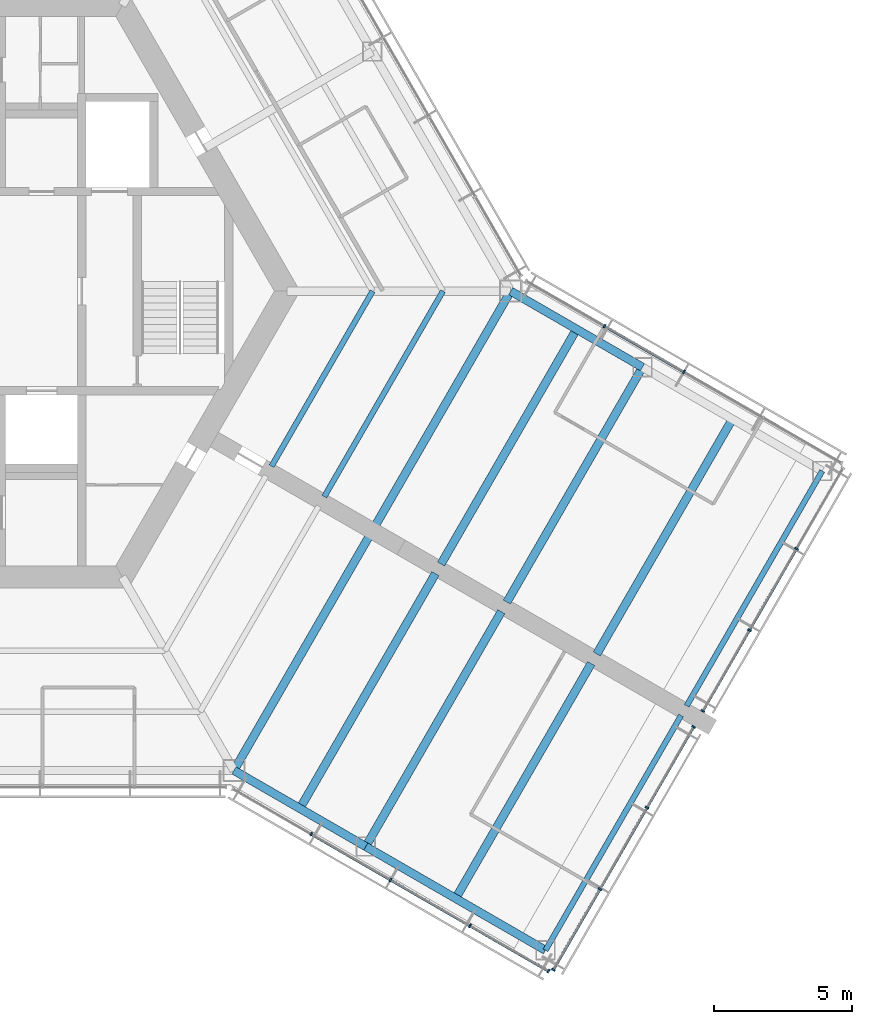
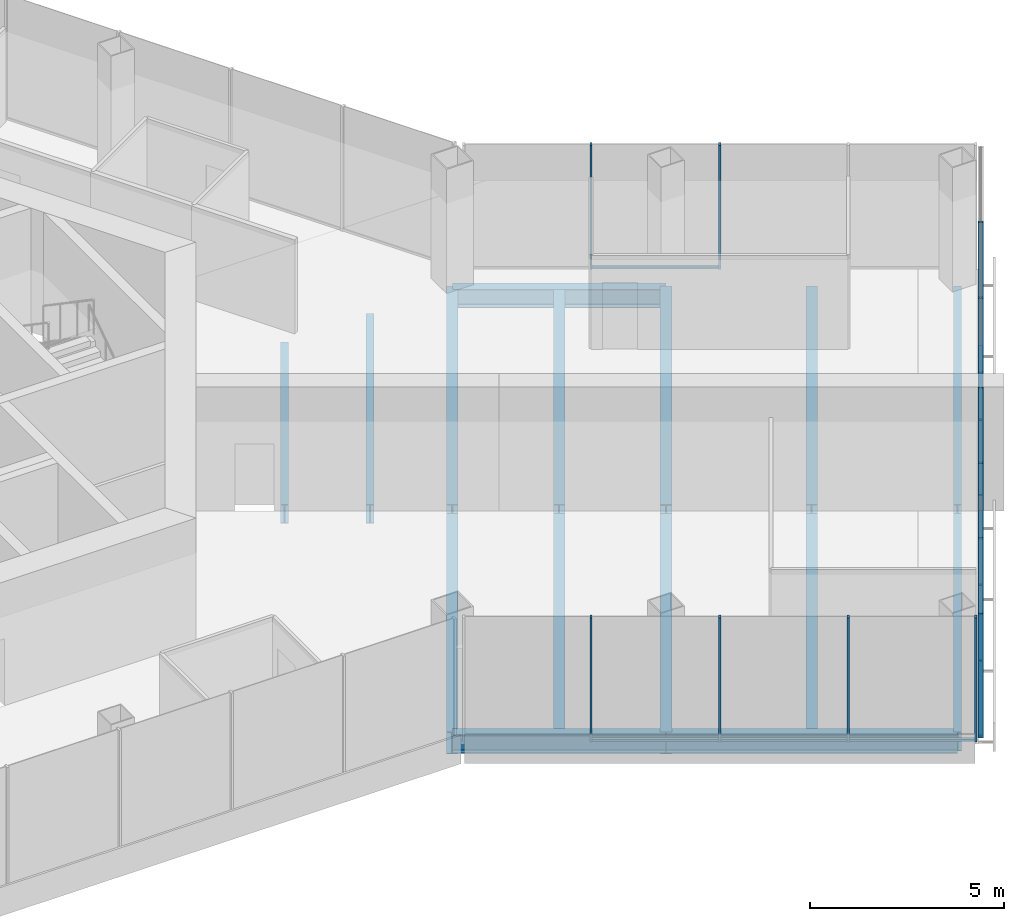
# One storey, part 4 of 15: 22 members, 15 beams, 4 elements without a shape of their own.
"""IFC4 building model written with IfcOpenShell, lengths in metres."""

from ifc_helpers import new_model, si_unit, direction, frame, origin, origin_2d, place, context, subcontext, project, spatial, rectangle, i_section, extrude, material, material_profile, profile_set, type_object, element, aggregate, save


model = new_model("IFC4")

# Units and contexts
model_context = context("Model", 3, precision=1e-05, world=origin(), true_north=direction((0.0, 1.0)))
body_context = subcontext(model_context, "Body", "Model", "MODEL_VIEW")
ifc_project = project(units=[si_unit("LENGTHUNIT", "METRE"), si_unit("AREAUNIT", "SQUARE_METRE"), si_unit("VOLUMEUNIT", "CUBIC_METRE"), si_unit("PLANEANGLEUNIT", "RADIAN"), si_unit("MASSUNIT", "GRAM", prefix="KILO")], contexts=[model_context])

# Site, building, storey
site_placement = place(None, origin())
site = spatial("IfcSite", under=ifc_project, at=site_placement, CompositionType="ELEMENT")
building_placement = place(site_placement, origin())
building = spatial("IfcBuilding", under=site, at=building_placement, Name="Kasaneha Research Tower", CompositionType="ELEMENT")
storey_placement = place(building_placement, frame((0.0, 0.0, 240.10009765625)))
storey = spatial("IfcBuildingStorey", under=building, at=storey_placement, Name="L60", CompositionType="ELEMENT", Elevation=240.10009765625)

# Beams
ifc_material_1 = material(Name="Steel SN490B", Category="steel")
ifc_material_profile_1 = material_profile(ifc_material_1, i_section(OverallWidth=0.199951171875, OverallDepth=0.60009765625, WebThickness=0.010986328125, FlangeThickness=0.01708984375, FilletRadius=0.012939453125, at=origin_2d()), Name="H-600x200x11x17")
ifc_profile_set_1 = profile_set([ifc_material_profile_1], Name="Steel SN490B")
beam_type_1 = type_object("IfcBeamType", Name="B1-3 secondary beam H-600x200x11x17", PredefinedType="JOIST", material=ifc_profile_set_1)
beam_1_placement = place(storey_placement, frame((15.010986328125, 0.0, -0.4501953125), z_axis=(-0.499974128195, -0.866040340363, 0.0), x_axis=(0.866040340363, -0.499974128195, 0.0)))
element("IfcBeam", 1, at=beam_1_placement, inside=storey, type_object=beam_type_1, Name="Secondary beam RS330R1 L60", PredefinedType="JOIST", context=body_context, shape_type="SweptSolid", body=[
    extrude(i_section(OverallWidth=0.199951171875, OverallDepth=0.60009765625, WebThickness=0.010986328125, FlangeThickness=0.01708984375, FilletRadius=0.012939453125, at=origin_2d()), origin(), (0.0, 0.0, 1.0), 7.3056640625),
])
beam_2_placement = place(storey_placement, frame((17.551513671875, 0.0, -0.4501953125), z_axis=(-0.500000102728, -0.866025344474, 0.0), x_axis=(0.866025344474, -0.500000102728, 0.0)))
element("IfcBeam", 2, at=beam_2_placement, inside=storey, type_object=beam_type_1, Name="Secondary beam RS330R2 L60", PredefinedType="JOIST", context=body_context, shape_type="SweptSolid", body=[
    extrude(i_section(OverallWidth=0.199951171875, OverallDepth=0.60009765625, WebThickness=0.010986328125, FlangeThickness=0.01708984375, FilletRadius=0.012939453125, at=origin_2d()), origin(), (0.0, 0.0, 1.0), 8.57568359375),
])
ifc_material_2 = material(Name="Steel SN490B", Category="steel")
ifc_material_profile_2 = material_profile(ifc_material_2, i_section(OverallWidth=0.300048828125, OverallDepth=0.58203125, WebThickness=0.011962890625, FlangeThickness=0.01708984375, FilletRadius=0.012939453125, at=origin_2d()), Name="H-582x300x12x17")
ifc_profile_set_2 = profile_set([ifc_material_profile_2], Name="Steel SN490B")
beam_type_2 = type_object("IfcBeamType", Name="B2-3 secondary beam H-582x300x12x17", PredefinedType="JOIST", material=ifc_profile_set_2)
for number, where, z_axis, x_axis, name in (
    (3, (12.381591796875, -18.695556640625, -0.441162109375), (0.49999201416, 0.866030014362, 0.0), (-0.866030014362, 0.49999201416, 0.0), "Secondary beam WBCP1 L60"),
    (4, (18.0107421875, -21.945556640625, -0.441162109375), (0.49999201416, 0.866030014362, 0.0), (-0.866030014362, 0.49999201416, 0.0), "Secondary beam WBCP2 L60"),
    (5, (22.381591796875, -1.375, -0.441162109375), (-0.49999201416, -0.866030014362, 0.0), (0.866030014362, -0.49999201416, 0.0), "Secondary beam WBCN1 L60"),
    (6, (28.0107421875, -4.625, -0.441162109375), (-0.49999201416, -0.866030014362, 0.0), (0.866030014362, -0.49999201416, 0.0), "Secondary beam WBCN2 L60"),
):
    element("IfcBeam", number, at=place(storey_placement, frame(where, z_axis=z_axis, x_axis=x_axis)), inside=storey, type_object=beam_type_2, Name=name, PredefinedType="JOIST", context=body_context, shape_type="SweptSolid", body=[
        extrude(i_section(OverallWidth=0.300048828125, OverallDepth=0.58203125, WebThickness=0.011962890625, FlangeThickness=0.01708984375, FilletRadius=0.012939453125, at=origin_2d()), origin(), (0.0, 0.0, 1.0), 9.800048828125),
    ])

# Curtain wall, members
ifc_material_3 = material(Name="Glass and aluminium", Category="aluminium")
curtain_wall_type = type_object("IfcCurtainWallType", Name="High-rise office curtain wall", PredefinedType="USERDEFINED", material=ifc_material_3)
curtain_wall_1_placement = place(storey_placement, origin())
curtain_wall_1 = element("IfcCurtainWall", 7, at=curtain_wall_1_placement, inside=storey, type_object=curtain_wall_type, Name="CW-O3 L60 run 06a", ObjectType="UNITISED CURTAIN WALL", PredefinedType="USERDEFINED")
ifc_material_4 = material(Name="Aluminium 6063-T6", Category="aluminium")
ifc_material_profile_3 = material_profile(ifc_material_4, rectangle(XDim=0.06005859375, YDim=0.139892578125, at=origin_2d()), Name="CW-O3 mullion 60x140")
ifc_profile_set_3 = profile_set([ifc_material_profile_3], Name="Aluminium 6063-T6")
member_type_1 = type_object("IfcMemberType", Name="CW-O3 mullion", PredefinedType="MULLION", material=ifc_profile_set_3)
member_1_placement = place(storey_placement, frame((12.792236328125, -19.62548828125, 0.0), z_axis=(0.0, 0.0, 1.0), x_axis=(0.866025411464, -0.499999986699, 0.0)))
member_1 = element("IfcMember", 8, at=member_1_placement, type_object=member_type_1, Name="CW-O3 mullion 2", PredefinedType="MULLION", context=body_context, shape_type="SweptSolid", body=[
    extrude(rectangle(XDim=0.06005859375, YDim=0.139892578125, at=origin_2d()), origin(), (0.0, 0.0, 1.0), 3.89990234375),
])
member_2_placement = place(storey_placement, frame((15.65869140625, -21.2802734375, 0.0), z_axis=(0.0, 0.0, 1.0), x_axis=(0.866025411464, -0.499999986699, 0.0)))
member_2 = element("IfcMember", 9, at=member_2_placement, type_object=member_type_1, Name="CW-O3 mullion 3", PredefinedType="MULLION", context=body_context, shape_type="SweptSolid", body=[
    extrude(rectangle(XDim=0.06005859375, YDim=0.139892578125, at=origin_2d()), origin(), (0.0, 0.0, 1.0), 3.89990234375),
])
member_3_placement = place(storey_placement, frame((18.52490234375, -22.935302734375, 0.0), z_axis=(0.0, 0.0, 1.0), x_axis=(0.866025411464, -0.499999986699, 0.0)))
member_3 = element("IfcMember", 10, at=member_3_placement, type_object=member_type_1, Name="CW-O3 mullion 4", PredefinedType="MULLION", context=body_context, shape_type="SweptSolid", body=[
    extrude(rectangle(XDim=0.06005859375, YDim=0.139892578125, at=origin_2d()), origin(), (0.0, 0.0, 1.0), 3.89990234375),
])
member_4_placement = place(storey_placement, frame((21.365478515625, -24.5751953125, 0.0), z_axis=(0.0, 0.0, 1.0), x_axis=(0.866025411464, -0.499999986699, 0.0)))
member_4 = element("IfcMember", 11, at=member_4_placement, type_object=member_type_1, Name="CW-O3 mullion 5", PredefinedType="MULLION", context=body_context, shape_type="SweptSolid", body=[
    extrude(rectangle(XDim=0.06005859375, YDim=0.139892578125, at=origin_2d()), origin(), (0.0, 0.0, 1.0), 3.89990234375),
])

curtain_wall_2_placement = place(storey_placement, origin())
curtain_wall_2 = element("IfcCurtainWall", 12, at=curtain_wall_2_placement, inside=storey, type_object=curtain_wall_type, Name="CW-O3 L60 run 07a", ObjectType="UNITISED CURTAIN WALL", PredefinedType="USERDEFINED")
member_5_placement = place(storey_placement, frame((21.54296875, -24.527587890625, 0.0), z_axis=(0.0, 0.0, 1.0), x_axis=(0.500000011442, 0.866025397178, 0.0)))
member_5 = element("IfcMember", 13, at=member_5_placement, type_object=member_type_1, Name="CW-O3 mullion 1", PredefinedType="MULLION", context=body_context, shape_type="SweptSolid", body=[
    extrude(rectangle(XDim=0.06005859375, YDim=0.139892578125, at=origin_2d()), origin(), (0.0, 0.0, 1.0), 3.89990234375),
])
member_6_placement = place(storey_placement, frame((23.22802734375, -21.609130859375, 0.0), z_axis=(0.0, 0.0, 1.0), x_axis=(0.500000011442, 0.866025397178, 0.0)))
member_6 = element("IfcMember", 14, at=member_6_placement, type_object=member_type_1, Name="CW-O3 mullion 2", PredefinedType="MULLION", context=body_context, shape_type="SweptSolid", body=[
    extrude(rectangle(XDim=0.06005859375, YDim=0.139892578125, at=origin_2d()), origin(), (0.0, 0.0, 1.0), 3.89990234375),
])
member_7_placement = place(storey_placement, frame((24.927978515625, -18.66455078125, 0.0), z_axis=(0.0, 0.0, 1.0), x_axis=(0.500000011442, 0.866025397178, 0.0)))
member_7 = element("IfcMember", 15, at=member_7_placement, type_object=member_type_1, Name="CW-O3 mullion 3", PredefinedType="MULLION", context=body_context, shape_type="SweptSolid", body=[
    extrude(rectangle(XDim=0.06005859375, YDim=0.139892578125, at=origin_2d()), origin(), (0.0, 0.0, 1.0), 3.89990234375),
])
member_8_placement = place(storey_placement, frame((26.613037109375, -15.74609375, 0.0), z_axis=(0.0, 0.0, 1.0), x_axis=(0.500000011442, 0.866025397178, 0.0)))
member_8 = element("IfcMember", 16, at=member_8_placement, type_object=member_type_1, Name="CW-O3 mullion 4", PredefinedType="MULLION", context=body_context, shape_type="SweptSolid", body=[
    extrude(rectangle(XDim=0.06005859375, YDim=0.139892578125, at=origin_2d()), origin(), (0.0, 0.0, 1.0), 3.89990234375),
])

curtain_wall_3_placement = place(storey_placement, origin())
curtain_wall_3 = element("IfcCurtainWall", 17, at=curtain_wall_3_placement, inside=storey, type_object=curtain_wall_type, Name="CW-O3 L60 run 08a", ObjectType="UNITISED CURTAIN WALL", PredefinedType="USERDEFINED")
member_9_placement = place(storey_placement, frame((26.94287109375, -15.174560546875, 0.0), z_axis=(0.0, 0.0, 1.0), x_axis=(0.500000011442, 0.866025397178, 0.0)))
member_9 = element("IfcMember", 18, at=member_9_placement, type_object=member_type_1, Name="CW-O3 mullion 1", PredefinedType="MULLION", context=body_context, shape_type="SweptSolid", body=[
    extrude(rectangle(XDim=0.06005859375, YDim=0.139892578125, at=origin_2d()), origin(), (0.0, 0.0, 1.0), 3.89990234375),
])
member_10_placement = place(storey_placement, frame((28.6279296875, -12.255859375, 0.0), z_axis=(0.0, 0.0, 1.0), x_axis=(0.500000011442, 0.866025397178, 0.0)))
member_10 = element("IfcMember", 19, at=member_10_placement, type_object=member_type_1, Name="CW-O3 mullion 2", PredefinedType="MULLION", context=body_context, shape_type="SweptSolid", body=[
    extrude(rectangle(XDim=0.06005859375, YDim=0.139892578125, at=origin_2d()), origin(), (0.0, 0.0, 1.0), 3.89990234375),
])
member_11_placement = place(storey_placement, frame((30.327880859375, -9.3115234375, 0.0), z_axis=(0.0, 0.0, 1.0), x_axis=(0.500000011442, 0.866025397178, 0.0)))
member_11 = element("IfcMember", 20, at=member_11_placement, type_object=member_type_1, Name="CW-O3 mullion 3", PredefinedType="MULLION", context=body_context, shape_type="SweptSolid", body=[
    extrude(rectangle(XDim=0.06005859375, YDim=0.139892578125, at=origin_2d()), origin(), (0.0, 0.0, 1.0), 3.89990234375),
])

curtain_wall_4_placement = place(storey_placement, origin())
curtain_wall_4 = element("IfcCurtainWall", 21, at=curtain_wall_4_placement, inside=storey, type_object=curtain_wall_type, Name="CW-O3 L60 run 09a", ObjectType="UNITISED CURTAIN WALL", PredefinedType="USERDEFINED")
member_12_placement = place(storey_placement, frame((26.258544921875, -2.920654296875, 0.0), z_axis=(0.0, 0.0, 1.0), x_axis=(-0.866025411464, 0.499999986699, 0.0)))
member_12 = element("IfcMember", 22, at=member_12_placement, type_object=member_type_1, Name="CW-O3 mullion 3", PredefinedType="MULLION", context=body_context, shape_type="SweptSolid", body=[
    extrude(rectangle(XDim=0.06005859375, YDim=0.139892578125, at=origin_2d()), origin(), (0.0, 0.0, 1.0), 3.89990234375),
])
member_13_placement = place(storey_placement, frame((23.39208984375, -1.265625, 0.0), z_axis=(0.0, 0.0, 1.0), x_axis=(-0.866025411464, 0.499999986699, 0.0)))
member_13 = element("IfcMember", 23, at=member_13_placement, type_object=member_type_1, Name="CW-O3 mullion 4", PredefinedType="MULLION", context=body_context, shape_type="SweptSolid", body=[
    extrude(rectangle(XDim=0.06005859375, YDim=0.139892578125, at=origin_2d()), origin(), (0.0, 0.0, 1.0), 3.89990234375),
])

# Member
ifc_material_5 = material(Name="Aluminium 6063-T6", Category="aluminium")
ifc_material_profile_4 = material_profile(ifc_material_5, rectangle(XDim=0.10009765625, YDim=0.06005859375, at=origin_2d()), Name="CW-O3 transom 100x60")
ifc_profile_set_4 = profile_set([ifc_material_profile_4], Name="Aluminium 6063-T6")
member_type_2 = type_object("IfcMemberType", Name="CW-O3 transom", PredefinedType="USERDEFINED", material=ifc_profile_set_4)
member_14_placement = place(storey_placement, frame((12.818115234375, -19.640380859375, 0.02978515625), z_axis=(0.866015446554, -0.500017246033, 0.0), x_axis=(0.500017246033, 0.866015446554, 0.0)))
member_14 = element("IfcMember", 24, at=member_14_placement, type_object=member_type_2, Name="CW-O3 transom 2", ObjectType="TRANSOM", PredefinedType="USERDEFINED", context=body_context, shape_type="SweptSolid", body=[
    extrude(rectangle(XDim=0.10009765625, YDim=0.06005859375, at=origin_2d()), origin(), (0.0, 0.0, 1.0), 3.25),
])

member_15_placement = place(storey_placement, frame((15.6845703125, -21.29541015625, 0.02978515625), z_axis=(0.86604797581, -0.499960902066, 0.0), x_axis=(0.499960902066, 0.86604797581, 0.0)))
member_15 = element("IfcMember", 25, at=member_15_placement, type_object=member_type_2, Name="CW-O3 transom 3", ObjectType="TRANSOM", PredefinedType="USERDEFINED", context=body_context, shape_type="SweptSolid", body=[
    extrude(rectangle(XDim=0.10009765625, YDim=0.06005859375, at=origin_2d()), origin(), (0.0, 0.0, 1.0), 3.249755859375),
])

member_16_placement = place(storey_placement, frame((18.551025390625, -22.9501953125, 0.02978515625), z_axis=(0.866022692473, -0.500004696101, 0.0), x_axis=(0.500004696101, 0.866022692473, 0.0)))
member_16 = element("IfcMember", 26, at=member_16_placement, type_object=member_type_2, Name="CW-O3 transom 4", ObjectType="TRANSOM", PredefinedType="USERDEFINED", context=body_context, shape_type="SweptSolid", body=[
    extrude(rectangle(XDim=0.10009765625, YDim=0.06005859375, at=origin_2d()), origin(), (0.0, 0.0, 1.0), 3.2197265625),
])

aggregate(curtain_wall_1, [member_1, member_2, member_3, member_4, member_14, member_15, member_16])

member_17_placement = place(storey_placement, frame((21.557861328125, -24.50146484375, 0.02978515625), z_axis=(0.500018282537, 0.866014848099, 0.0), x_axis=(-0.866014848099, 0.500018282537, 0.0)))
member_17 = element("IfcMember", 27, at=member_17_placement, type_object=member_type_2, Name="CW-O3 transom 1", ObjectType="TRANSOM", PredefinedType="USERDEFINED", context=body_context, shape_type="SweptSolid", body=[
    extrude(rectangle(XDim=0.10009765625, YDim=0.06005859375, at=origin_2d()), origin(), (0.0, 0.0, 1.0), 3.31005859375),
])

member_18_placement = place(storey_placement, frame((23.242919921875, -21.5830078125, 0.02978515625), z_axis=(0.499975549825, 0.866039519639, 0.0), x_axis=(-0.866039519639, 0.499975549825, 0.0)))
member_18 = element("IfcMember", 28, at=member_18_placement, type_object=member_type_2, Name="CW-O3 transom 2", ObjectType="TRANSOM", PredefinedType="USERDEFINED", context=body_context, shape_type="SweptSolid", body=[
    extrude(rectangle(XDim=0.10009765625, YDim=0.06005859375, at=origin_2d()), origin(), (0.0, 0.0, 1.0), 3.340087890625),
])

member_19_placement = place(storey_placement, frame((24.94287109375, -18.638671875, 0.02978515625), z_axis=(0.49998634449, 0.866033287653, 0.0), x_axis=(-0.866033287653, 0.49998634449, 0.0)))
member_19 = element("IfcMember", 29, at=member_19_placement, type_object=member_type_2, Name="CW-O3 transom 3", ObjectType="TRANSOM", PredefinedType="USERDEFINED", context=body_context, shape_type="SweptSolid", body=[
    extrude(rectangle(XDim=0.10009765625, YDim=0.06005859375, at=origin_2d()), origin(), (0.0, 0.0, 1.0), 3.31005859375),
])

aggregate(curtain_wall_2, [member_5, member_6, member_7, member_8, member_17, member_18, member_19])

member_20_placement = place(storey_placement, frame((26.9580078125, -15.1484375, 0.02978515625), z_axis=(0.500018282537, 0.866014848099, 0.0), x_axis=(-0.866014848099, 0.500018282537, 0.0)))
member_20 = element("IfcMember", 30, at=member_20_placement, type_object=member_type_2, Name="CW-O3 transom 1", ObjectType="TRANSOM", PredefinedType="USERDEFINED", context=body_context, shape_type="SweptSolid", body=[
    extrude(rectangle(XDim=0.10009765625, YDim=0.06005859375, at=origin_2d()), origin(), (0.0, 0.0, 1.0), 3.31005859375),
])

member_21_placement = place(storey_placement, frame((28.64306640625, -12.22998046875, 0.02978515625), z_axis=(0.499975549825, 0.866039519639, 0.0), x_axis=(-0.866039519639, 0.499975549825, 0.0)))
member_21 = element("IfcMember", 31, at=member_21_placement, type_object=member_type_2, Name="CW-O3 transom 2", ObjectType="TRANSOM", PredefinedType="USERDEFINED", context=body_context, shape_type="SweptSolid", body=[
    extrude(rectangle(XDim=0.10009765625, YDim=0.06005859375, at=origin_2d()), origin(), (0.0, 0.0, 1.0), 3.340087890625),
])

aggregate(curtain_wall_3, [member_9, member_10, member_11, member_20, member_21])

member_22_placement = place(storey_placement, frame((26.232666015625, -2.905517578125, 0.02978515625), z_axis=(-0.86604797581, 0.499960902066, 0.0), x_axis=(-0.499960902066, -0.86604797581, 0.0)))
member_22 = element("IfcMember", 32, at=member_22_placement, type_object=member_type_2, Name="CW-O3 transom 3", ObjectType="TRANSOM", PredefinedType="USERDEFINED", context=body_context, shape_type="SweptSolid", body=[
    extrude(rectangle(XDim=0.10009765625, YDim=0.06005859375, at=origin_2d()), origin(), (0.0, 0.0, 1.0), 3.249755859375),
])

aggregate(curtain_wall_4, [member_12, member_13, member_22])

# Beams
ifc_material_6 = material(Name="Steel SN490B", Category="steel")
ifc_material_profile_5 = material_profile(ifc_material_6, i_section(OverallWidth=0.300048828125, OverallDepth=0.69189453125, WebThickness=0.012939453125, FlangeThickness=0.02001953125, FilletRadius=0.01806640625, at=origin_2d()), Name="H-692x300x13x20")
ifc_profile_set_5 = profile_set([ifc_material_profile_5], Name="Steel SN490B")
beam_type_3 = type_object("IfcBeamType", Name="G3-3 plate edge girder H-692x300x13x20", PredefinedType="BEAM", material=ifc_profile_set_5)
for number, where, z_axis, x_axis, name in (
    (33, (10.0, -17.320556640625, -0.49609375), (0.49999201416, 0.866030014362, 0.0), (-0.866030014362, 0.49999201416, 0.0), "Plate edge girder PECP L60"),
    (34, (20.0, 0.0, -0.49609375), (-0.49999201416, -0.866030014362, 0.0), (0.866030014362, -0.49999201416, 0.0), "Plate edge girder PECN L60"),
):
    element("IfcBeam", number, at=place(storey_placement, frame(where, z_axis=z_axis, x_axis=x_axis)), inside=storey, type_object=beam_type_3, Name=name, PredefinedType="BEAM", context=body_context, shape_type="SweptSolid", body=[
        extrude(i_section(OverallWidth=0.300048828125, OverallDepth=0.69189453125, WebThickness=0.012939453125, FlangeThickness=0.02001953125, FilletRadius=0.01806640625, at=origin_2d()), origin(), (0.0, 0.0, 1.0), 9.800048828125),
    ])
ifc_material_7 = material(Name="Steel SN490B", Category="steel")
ifc_material_profile_6 = material_profile(ifc_material_7, i_section(OverallWidth=0.300048828125, OverallDepth=0.699951171875, WebThickness=0.012939453125, FlangeThickness=0.02392578125, FilletRadius=0.01806640625, at=origin_2d()), Name="H-700x300x13x24")
ifc_profile_set_6 = profile_set([ifc_material_profile_6], Name="Steel SN490B")
beam_type_4 = type_object("IfcBeamType", Name="G4-3 wing girder H-700x300x13x24", PredefinedType="BEAM", material=ifc_profile_set_6)
for number, where, z_axis, x_axis, name in (
    (35, (14.76318359375, -20.070556640625, -0.5), (0.49999201416, 0.866030014362, 0.0), (-0.866030014362, 0.49999201416, 0.0), "Wing girder WGCP L60"),
    (36, (24.76318359375, -2.75, -0.5), (-0.500010698315, -0.866019227021, 0.0), (0.866019227021, -0.500010698315, 0.0), "Wing girder WGCN L60"),
):
    element("IfcBeam", number, at=place(storey_placement, frame(where, z_axis=z_axis, x_axis=x_axis)), inside=storey, type_object=beam_type_4, Name=name, PredefinedType="BEAM", context=body_context, shape_type="SweptSolid", body=[
        extrude(i_section(OverallWidth=0.300048828125, OverallDepth=0.699951171875, WebThickness=0.012939453125, FlangeThickness=0.02392578125, FilletRadius=0.01806640625, at=origin_2d()), origin(), (0.0, 0.0, 1.0), 9.800048828125),
    ])
ifc_material_8 = material(Name="Steel SN490B", Category="steel")
ifc_material_profile_7 = material_profile(ifc_material_8, i_section(OverallWidth=0.300048828125, OverallDepth=0.58203125, WebThickness=0.011962890625, FlangeThickness=0.01708984375, FilletRadius=0.012939453125, at=origin_2d()), Name="H-582x300x12x17")
ifc_profile_set_7 = profile_set([ifc_material_profile_7], Name="Steel SN490B")
beam_type_5 = type_object("IfcBeamType", Name="SB2-3 spandrel beam H-582x300x12x17", PredefinedType="SPANDREL", material=ifc_profile_set_7)
beam_3_placement = place(storey_placement, frame((10.0, -17.320556640625, -0.441162109375), z_axis=(0.866027397988, -0.499996545922, 0.0), x_axis=(0.499996545922, 0.866027397988, 0.0)))
element("IfcBeam", 37, at=beam_3_placement, inside=storey, type_object=beam_type_5, Name="Spandrel beam WSCP1 L60", PredefinedType="SPANDREL", context=body_context, shape_type="SweptSolid", body=[
    extrude(i_section(OverallWidth=0.300048828125, OverallDepth=0.58203125, WebThickness=0.011962890625, FlangeThickness=0.01708984375, FilletRadius=0.012939453125, at=origin_2d()), origin(), (0.0, 0.0, 1.0), 5.5),
])
beam_4_placement = place(storey_placement, frame((14.76318359375, -20.070556640625, -0.441162109375), z_axis=(0.866022959057, -0.500004234368, 0.0), x_axis=(0.500004234368, 0.866022959057, 0.0)))
element("IfcBeam", 38, at=beam_4_placement, inside=storey, type_object=beam_type_5, Name="Spandrel beam WSCP2 L60", PredefinedType="SPANDREL", context=body_context, shape_type="SweptSolid", body=[
    extrude(i_section(OverallWidth=0.300048828125, OverallDepth=0.58203125, WebThickness=0.011962890625, FlangeThickness=0.01708984375, FilletRadius=0.012939453125, at=origin_2d()), origin(), (0.0, 0.0, 1.0), 7.5),
])
beam_5_placement = place(storey_placement, frame((20.0, 0.0, -0.441162109375), z_axis=(0.866027397988, -0.499996545922, 0.0), x_axis=(0.499996545922, 0.866027397988, 0.0)))
element("IfcBeam", 39, at=beam_5_placement, inside=storey, type_object=beam_type_5, Name="Spandrel beam WSCN1 L60", PredefinedType="SPANDREL", context=body_context, shape_type="SweptSolid", body=[
    extrude(i_section(OverallWidth=0.300048828125, OverallDepth=0.58203125, WebThickness=0.011962890625, FlangeThickness=0.01708984375, FilletRadius=0.012939453125, at=origin_2d()), origin(), (0.0, 0.0, 1.0), 5.5),
])
ifc_material_9 = material(Name="Steel SN490B", Category="steel")
ifc_material_profile_8 = material_profile(ifc_material_9, i_section(OverallWidth=0.199951171875, OverallDepth=0.60009765625, WebThickness=0.010986328125, FlangeThickness=0.01708984375, FilletRadius=0.012939453125, at=origin_2d()), Name="H-600x200x11x17")
ifc_profile_set_8 = profile_set([ifc_material_profile_8], Name="Steel SN490B")
beam_type_6 = type_object("IfcBeamType", Name="SB3-3 spandrel beam H-600x200x11x17", PredefinedType="SPANDREL", material=ifc_profile_set_8)
for number, where, z_axis, x_axis, name in (
    (40, (21.25830078125, -23.820556640625, -0.4501953125), (0.500010698315, 0.866019227021, 0.0), (-0.866019227021, 0.500010698315, 0.0), "Spandrel beam WTCP L60"),
    (41, (31.25830078125, -6.5, -0.4501953125), (-0.49999201416, -0.866030014362, 0.0), (0.866030014362, -0.49999201416, 0.0), "Spandrel beam WTCN L60"),
):
    element("IfcBeam", number, at=place(storey_placement, frame(where, z_axis=z_axis, x_axis=x_axis)), inside=storey, type_object=beam_type_6, Name=name, PredefinedType="SPANDREL", context=body_context, shape_type="SweptSolid", body=[
        extrude(i_section(OverallWidth=0.199951171875, OverallDepth=0.60009765625, WebThickness=0.010986328125, FlangeThickness=0.01708984375, FilletRadius=0.012939453125, at=origin_2d()), origin(), (0.0, 0.0, 1.0), 9.800048828125),
    ])

save(model, "model.ifc")
